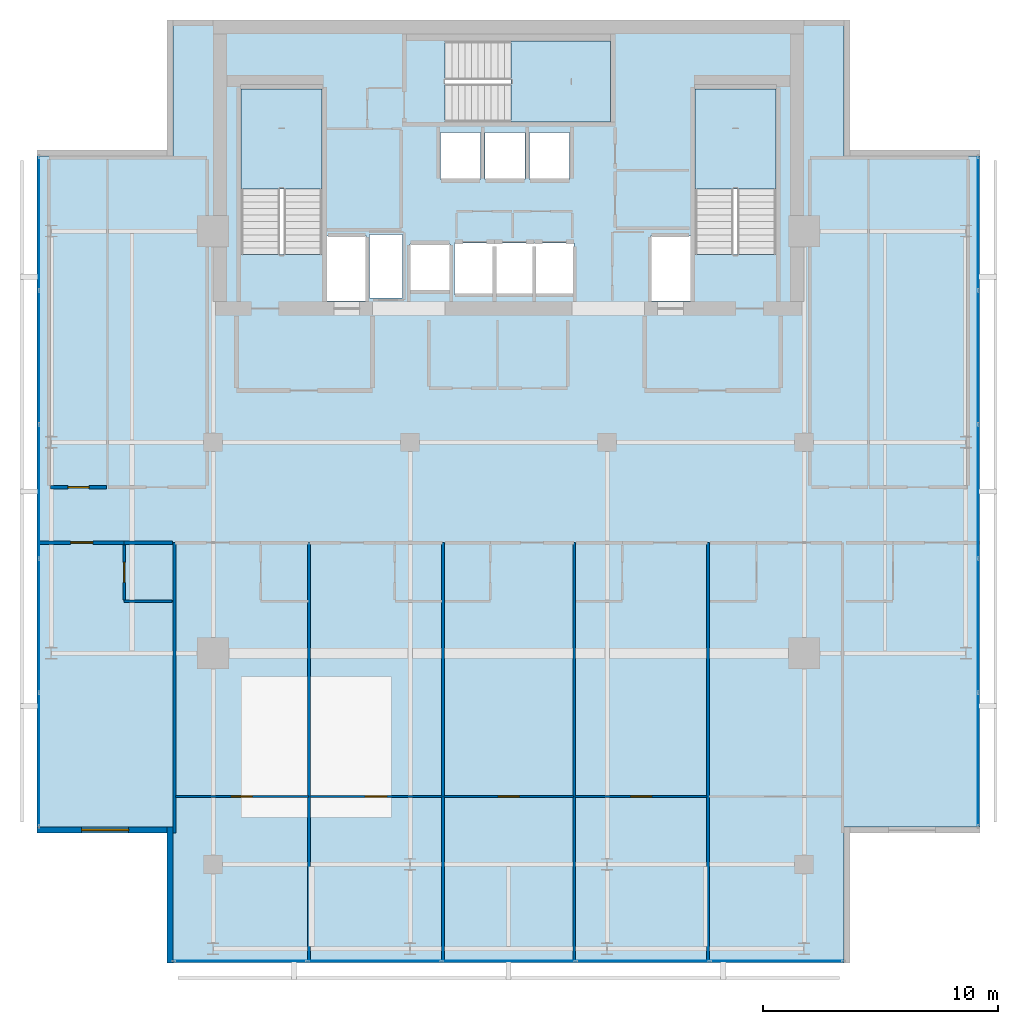
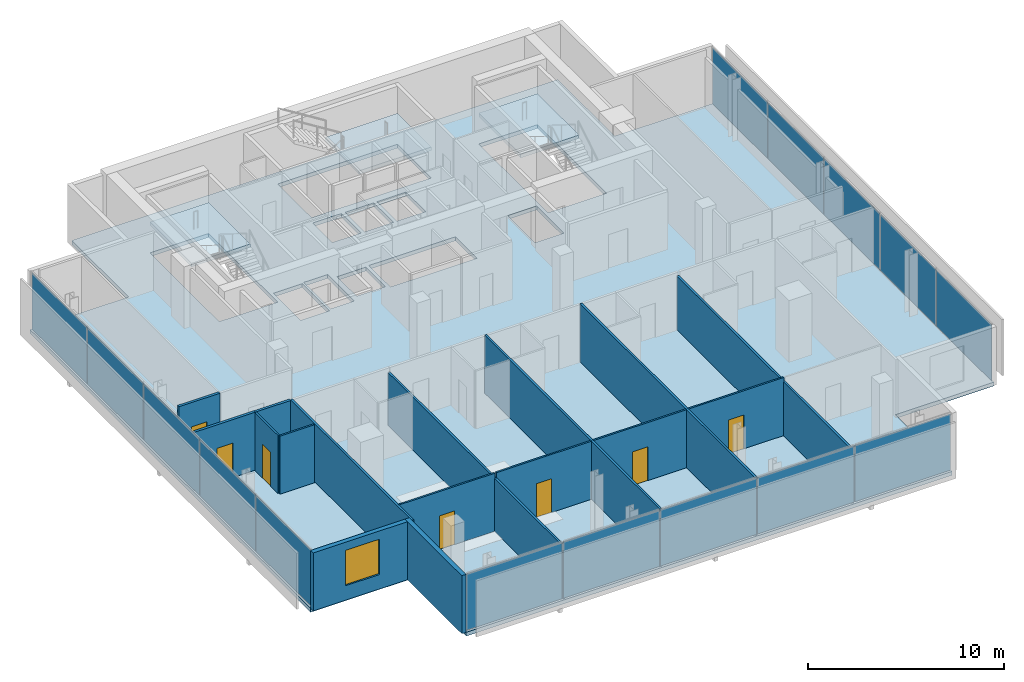
# One storey, part 16 of 24: 16 walls, 15 plates, 7 doors, 4 slabs, 1 window, 8 openings, 6 elements without a shape of their own.
"""IFC4 building model written with IfcOpenShell, lengths in metres."""

from ifc_helpers import new_model, si_unit, direction, frame, frame_2d, origin, origin_2d, place, context, subcontext, project, spatial, polyline, rectangle, outline, extrude, material, layer, layer_set, type_object, element, fill, aggregate, save


model = new_model("IFC4")

# Units and contexts
model_context = context("Model", 3, precision=1e-05, world=origin(), true_north=direction((0.0, 1.0)))
body_context = subcontext(model_context, "Body", "Model", "MODEL_VIEW")
ifc_project = project(units=[si_unit("LENGTHUNIT", "METRE"), si_unit("AREAUNIT", "SQUARE_METRE"), si_unit("VOLUMEUNIT", "CUBIC_METRE"), si_unit("PLANEANGLEUNIT", "RADIAN"), si_unit("MASSUNIT", "GRAM", prefix="KILO")], contexts=[model_context])

# Site, building, storey
site_placement = place(None, origin())
site = spatial("IfcSite", under=ifc_project, at=site_placement, CompositionType="ELEMENT")
building_placement = place(site_placement, origin())
building = spatial("IfcBuilding", under=site, at=building_placement, Name="Maruvema Waterfront Hotel and Observation Tower", CompositionType="ELEMENT")
storey_placement = place(building_placement, frame((0.0, 0.0, 325.85009765625)))
storey = spatial("IfcBuildingStorey", under=building, at=storey_placement, Name="L80", CompositionType="ELEMENT", Elevation=325.85009765625)

# Slab
ifc_material_1 = material(Name="Concrete C50/60", Category="concrete")
ifc_layer_1 = layer(ifc_material_1, 0.239990234375, Name="Reinforced Concrete Floor Slab 240 mm")
ifc_layer_set_1 = layer_set([ifc_layer_1], Name="Concrete C50/60")
slab_type_1 = type_object("IfcSlabType", Name="Reinforced Concrete Floor Slab 240 mm", PredefinedType="FLOOR", material=ifc_layer_set_1)
slab_1_placement = place(storey_placement, frame((0.0, 0.0, -0.239990234375)))
element("IfcSlab", 1, at=slab_1_placement, inside=storey, type_object=slab_type_1, Name="L80 Structural Floor Slab", PredefinedType="FLOOR", context=body_context, shape_type="SweptSolid", body=[
    extrude(outline(polyline([(23.5, 13.800048828125), (52.10009765625, 13.800048828125), (52.10009765625, 19.60009765625), (57.89990234375, 19.60009765625), (57.89990234375, 48.199951171875), (52.10009765625, 48.199951171875), (52.10009765625, 54.0), (23.5, 54.0), (23.5, 48.199951171875), (17.699951171875, 48.199951171875), (17.699951171875, 19.60009765625), (23.5, 19.60009765625), (23.5, 13.800048828125)]), holes=[polyline([(26.39990234375, 44.00048828125), (26.39990234375, 51.050048828125), (29.85009765625, 51.050048828125), (29.85009765625, 44.00048828125), (26.39990234375, 44.00048828125)]), polyline([(30.050048828125, 44.800048828125), (31.75, 44.800048828125), (31.75, 42.02001953125), (30.050048828125, 42.02001953125), (30.050048828125, 44.800048828125)]), polyline([(31.8798828125, 42.139892578125), (31.8798828125, 44.860107421875), (33.280029296875, 44.860107421875), (33.280029296875, 42.139892578125), (31.8798828125, 42.139892578125)]), polyline([(33.60009765625, 44.449951171875), (35.300048828125, 44.449951171875), (35.300048828125, 42.449951171875), (33.60009765625, 42.449951171875), (33.60009765625, 44.449951171875)]), polyline([(34.89990234375, 49.199951171875), (36.60009765625, 49.199951171875), (36.60009765625, 47.199951171875), (34.89990234375, 47.199951171875), (34.89990234375, 49.199951171875)]), polyline([(36.800048828125, 47.199951171875), (36.800048828125, 49.199951171875), (38.5, 49.199951171875), (38.5, 47.199951171875), (36.800048828125, 47.199951171875)]), polyline([(35.5, 42.300048828125), (35.5, 44.5), (40.60009765625, 44.5), (40.60009765625, 42.300048828125), (35.5, 42.300048828125)]), polyline([(35.1005859375, 53.10009765625), (42.14990234375, 53.10009765625), (42.14990234375, 49.64990234375), (35.1005859375, 49.64990234375), (35.1005859375, 53.10009765625)]), polyline([(38.699951171875, 49.199951171875), (40.39990234375, 49.199951171875), (40.39990234375, 47.199951171875), (38.699951171875, 47.199951171875), (38.699951171875, 49.199951171875)]), polyline([(43.85009765625, 44.800048828125), (45.550048828125, 44.800048828125), (45.550048828125, 42.02001953125), (43.85009765625, 42.02001953125), (43.85009765625, 44.800048828125)]), polyline([(45.75, 44.00048828125), (45.75, 51.050048828125), (49.199951171875, 51.050048828125), (49.199951171875, 44.00048828125), (45.75, 44.00048828125)])]), origin(), (0.0, 0.0, 1.0), 0.239990234375),
])

# Curtain wall, plates
ifc_material_2 = material(Name="Anodised bronze aluminium and solar-control low-E IGU", Category="aluminium")
ifc_layer_2 = layer(ifc_material_2, 0.159912109375, Name="Zone 4 Sky Residence Inner Curtain Wall System CW-05")
ifc_layer_set_2 = layer_set([ifc_layer_2], Name="Anodised bronze aluminium and solar-control low-E IGU")
curtain_wall_type = type_object("IfcCurtainWallType", Name="Zone 4 Sky Residence Inner Curtain Wall System CW-05", PredefinedType="USERDEFINED", material=ifc_layer_set_2)
curtain_wall_1_placement = place(storey_placement, origin())
curtain_wall_1 = element("IfcCurtainWall", 2, at=curtain_wall_1_placement, inside=storey, type_object=curtain_wall_type, Name="L80 Curtain Wall CW-L80-S", ObjectType="UNITISED CURTAIN WALL", PredefinedType="USERDEFINED")
ifc_material_3 = material(Name="Laminated low-E solar-control double glazing", Category="glass")
ifc_layer_3 = layer(ifc_material_3, 0.035888671875, Name="Solar Control Double-Glazed Curtain Panel 36 mm")
ifc_layer_set_3 = layer_set([ifc_layer_3], Name="Laminated low-E solar-control double glazing")
plate_type = type_object("IfcPlateType", Name="Solar Control Double-Glazed Curtain Panel 36 mm", PredefinedType="CURTAIN_PANEL", material=ifc_layer_set_3)
plate_1_placement = place(storey_placement, frame((26.375, 13.8798828125, 0.06005859375), z_axis=(0.0, 0.0, 1.0), x_axis=(1.0, 0.0, 0.0)))
plate_1 = element("IfcPlate", 3, at=plate_1_placement, type_object=plate_type, Name="CW-05 panel 1.1", PredefinedType="CURTAIN_PANEL", context=body_context, shape_type="SweptSolid", body=[
    extrude(rectangle(XDim=5.6298828125, YDim=0.028076171875, at=origin_2d()), origin(), (0.0, 0.0, 1.0), 3.489990234375),
])
plate_2_placement = place(storey_placement, frame((32.080078125, 13.8798828125, 0.06005859375), z_axis=(0.0, 0.0, 1.0), x_axis=(1.0, 0.0, 0.0)))
plate_2 = element("IfcPlate", 4, at=plate_2_placement, type_object=plate_type, Name="CW-05 panel 2.1", PredefinedType="CURTAIN_PANEL", context=body_context, shape_type="SweptSolid", body=[
    extrude(rectangle(XDim=5.659912109375, YDim=0.028076171875, at=origin_2d()), origin(), (0.0, 0.0, 1.0), 3.489990234375),
])
plate_3_placement = place(storey_placement, frame((37.800048828125, 13.8798828125, 0.06005859375), z_axis=(0.0, 0.0, 1.0), x_axis=(1.0, 0.0, 0.0)))
plate_3 = element("IfcPlate", 5, at=plate_3_placement, type_object=plate_type, Name="CW-05 panel 3.1", PredefinedType="CURTAIN_PANEL", context=body_context, shape_type="SweptSolid", body=[
    extrude(rectangle(XDim=5.659912109375, YDim=0.028076171875, at=origin_2d()), origin(), (0.0, 0.0, 1.0), 3.489990234375),
])
plate_4_placement = place(storey_placement, frame((43.52001953125, 13.8798828125, 0.06005859375), z_axis=(0.0, 0.0, 1.0), x_axis=(1.0, 0.0, 0.0)))
plate_4 = element("IfcPlate", 6, at=plate_4_placement, type_object=plate_type, Name="CW-05 panel 4.1", PredefinedType="CURTAIN_PANEL", context=body_context, shape_type="SweptSolid", body=[
    extrude(rectangle(XDim=5.659912109375, YDim=0.028076171875, at=origin_2d()), origin(), (0.0, 0.0, 1.0), 3.489990234375),
])
plate_5_placement = place(storey_placement, frame((49.22509765625, 13.8798828125, 0.06005859375), z_axis=(0.0, 0.0, 1.0), x_axis=(1.0, 0.0, 0.0)))
plate_5 = element("IfcPlate", 7, at=plate_5_placement, type_object=plate_type, Name="CW-05 panel 5.1", PredefinedType="CURTAIN_PANEL", context=body_context, shape_type="SweptSolid", body=[
    extrude(rectangle(XDim=5.6298828125, YDim=0.028076171875, at=origin_2d()), origin(), (0.0, 0.0, 1.0), 3.489990234375),
])
aggregate(curtain_wall_1, [plate_1, plate_2, plate_3, plate_4, plate_5])

curtain_wall_2_placement = place(storey_placement, origin())
curtain_wall_2 = element("IfcCurtainWall", 8, at=curtain_wall_2_placement, inside=storey, type_object=curtain_wall_type, Name="L80 Curtain Wall CW-L80-E", ObjectType="UNITISED CURTAIN WALL", PredefinedType="USERDEFINED")
plate_6_placement = place(storey_placement, frame((57.820068359375, 22.47509765625, 0.06005859375), z_axis=(0.0, 0.0, 1.0), x_axis=(0.0, 1.0, 0.0)))
plate_6 = element("IfcPlate", 9, at=plate_6_placement, type_object=plate_type, Name="CW-05 panel 1.1", PredefinedType="CURTAIN_PANEL", context=body_context, shape_type="SweptSolid", body=[
    extrude(rectangle(XDim=5.6298828125, YDim=0.028076171875, at=origin_2d()), origin(), (0.0, 0.0, 1.0), 3.489990234375),
])
plate_7_placement = place(storey_placement, frame((57.820068359375, 28.179931640625, 0.06005859375), z_axis=(0.0, 0.0, 1.0), x_axis=(0.0, 1.0, 0.0)))
plate_7 = element("IfcPlate", 10, at=plate_7_placement, type_object=plate_type, Name="CW-05 panel 2.1", PredefinedType="CURTAIN_PANEL", context=body_context, shape_type="SweptSolid", body=[
    extrude(rectangle(XDim=5.659912109375, YDim=0.028076171875, at=origin_2d()), origin(), (0.0, 0.0, 1.0), 3.489990234375),
])
plate_8_placement = place(storey_placement, frame((57.820068359375, 33.89990234375, 0.06005859375), z_axis=(0.0, 0.0, 1.0), x_axis=(0.0, 1.0, 0.0)))
plate_8 = element("IfcPlate", 11, at=plate_8_placement, type_object=plate_type, Name="CW-05 panel 3.1", PredefinedType="CURTAIN_PANEL", context=body_context, shape_type="SweptSolid", body=[
    extrude(rectangle(XDim=5.659912109375, YDim=0.028076171875, at=origin_2d()), origin(), (0.0, 0.0, 1.0), 3.489990234375),
])
plate_9_placement = place(storey_placement, frame((57.820068359375, 39.6201171875, 0.06005859375), z_axis=(0.0, 0.0, 1.0), x_axis=(0.0, 1.0, 0.0)))
plate_9 = element("IfcPlate", 12, at=plate_9_placement, type_object=plate_type, Name="CW-05 panel 4.1", PredefinedType="CURTAIN_PANEL", context=body_context, shape_type="SweptSolid", body=[
    extrude(rectangle(XDim=5.659912109375, YDim=0.028076171875, at=origin_2d()), origin(), (0.0, 0.0, 1.0), 3.489990234375),
])
plate_10_placement = place(storey_placement, frame((57.820068359375, 45.324951171875, 0.06005859375), z_axis=(0.0, 0.0, 1.0), x_axis=(0.0, 1.0, 0.0)))
plate_10 = element("IfcPlate", 13, at=plate_10_placement, type_object=plate_type, Name="CW-05 panel 5.1", PredefinedType="CURTAIN_PANEL", context=body_context, shape_type="SweptSolid", body=[
    extrude(rectangle(XDim=5.6298828125, YDim=0.028076171875, at=origin_2d()), origin(), (0.0, 0.0, 1.0), 3.489990234375),
])
aggregate(curtain_wall_2, [plate_6, plate_7, plate_8, plate_9, plate_10])

curtain_wall_3_placement = place(storey_placement, origin())
curtain_wall_3 = element("IfcCurtainWall", 14, at=curtain_wall_3_placement, inside=storey, type_object=curtain_wall_type, Name="L80 Curtain Wall CW-L80-W", ObjectType="UNITISED CURTAIN WALL", PredefinedType="USERDEFINED")
plate_11_placement = place(storey_placement, frame((17.780029296875, 45.324951171875, 0.06005859375), z_axis=(0.0, 0.0, 1.0), x_axis=(0.0, -1.0, 0.0)))
plate_11 = element("IfcPlate", 15, at=plate_11_placement, type_object=plate_type, Name="CW-05 panel 1.1", PredefinedType="CURTAIN_PANEL", context=body_context, shape_type="SweptSolid", body=[
    extrude(rectangle(XDim=5.6298828125, YDim=0.028076171875, at=origin_2d()), origin(), (0.0, 0.0, 1.0), 3.489990234375),
])
plate_12_placement = place(storey_placement, frame((17.780029296875, 39.6201171875, 0.06005859375), z_axis=(0.0, 0.0, 1.0), x_axis=(0.0, -1.0, 0.0)))
plate_12 = element("IfcPlate", 16, at=plate_12_placement, type_object=plate_type, Name="CW-05 panel 2.1", PredefinedType="CURTAIN_PANEL", context=body_context, shape_type="SweptSolid", body=[
    extrude(rectangle(XDim=5.659912109375, YDim=0.028076171875, at=origin_2d()), origin(), (0.0, 0.0, 1.0), 3.489990234375),
])
plate_13_placement = place(storey_placement, frame((17.780029296875, 33.89990234375, 0.06005859375), z_axis=(0.0, 0.0, 1.0), x_axis=(0.0, -1.0, 0.0)))
plate_13 = element("IfcPlate", 17, at=plate_13_placement, type_object=plate_type, Name="CW-05 panel 3.1", PredefinedType="CURTAIN_PANEL", context=body_context, shape_type="SweptSolid", body=[
    extrude(rectangle(XDim=5.659912109375, YDim=0.028076171875, at=origin_2d()), origin(), (0.0, 0.0, 1.0), 3.489990234375),
])
plate_14_placement = place(storey_placement, frame((17.780029296875, 28.179931640625, 0.06005859375), z_axis=(0.0, 0.0, 1.0), x_axis=(0.0, -1.0, 0.0)))
plate_14 = element("IfcPlate", 18, at=plate_14_placement, type_object=plate_type, Name="CW-05 panel 4.1", PredefinedType="CURTAIN_PANEL", context=body_context, shape_type="SweptSolid", body=[
    extrude(rectangle(XDim=5.659912109375, YDim=0.028076171875, at=origin_2d()), origin(), (0.0, 0.0, 1.0), 3.489990234375),
])
plate_15_placement = place(storey_placement, frame((17.780029296875, 22.47509765625, 0.06005859375), z_axis=(0.0, 0.0, 1.0), x_axis=(0.0, -1.0, 0.0)))
plate_15 = element("IfcPlate", 19, at=plate_15_placement, type_object=plate_type, Name="CW-05 panel 5.1", PredefinedType="CURTAIN_PANEL", context=body_context, shape_type="SweptSolid", body=[
    extrude(rectangle(XDim=5.6298828125, YDim=0.028076171875, at=origin_2d()), origin(), (0.0, 0.0, 1.0), 3.489990234375),
])
aggregate(curtain_wall_3, [plate_11, plate_12, plate_13, plate_14, plate_15])

# Stair, slab
ifc_material_4 = material(Name="Concrete C50/60", Category="concrete")
stair_type = type_object("IfcStairType", Name="Dogleg Exit Stair 1650 mm (22R x 175.0 mm)", PredefinedType="HALF_TURN_STAIR", material=ifc_material_4)
stair_1_placement = place(storey_placement, origin())
stair_1 = element("IfcStair", 20, at=stair_1_placement, inside=storey, type_object=stair_type, Name="L80 ST-01", PredefinedType="HALF_TURN_STAIR")
ifc_material_5 = material(Name="Concrete C50/60", Category="concrete")
ifc_layer_4 = layer(ifc_material_5, 0.219970703125, Name="Stair Concrete Landing Slab 220 mm")
ifc_layer_set_4 = layer_set([ifc_layer_4], Name="Concrete C50/60")
slab_type_2 = type_object("IfcSlabType", Name="Stair Concrete Landing Slab 220 mm", PredefinedType="LANDING", material=ifc_layer_set_4)
slab_2_placement = place(storey_placement, frame((0.0, 0.0, 1.704833984375)))
slab_2 = element("IfcSlab", 21, at=slab_2_placement, type_object=slab_type_2, Name="ST-01 landing 1", PredefinedType="LANDING", context=body_context, shape_type="SweptSolid", body=[
    extrude(outline(polyline([(29.85009765625, 46.800048828125), (29.85009765625, 51.050048828125), (26.39990234375, 51.050048828125), (26.39990234375, 46.800048828125), (29.85009765625, 46.800048828125)])), origin(), (0.0, 0.0, 1.0), 0.219970703125),
])
aggregate(stair_1, [slab_2])

stair_2_placement = place(storey_placement, origin())
stair_2 = element("IfcStair", 22, at=stair_2_placement, inside=storey, type_object=stair_type, Name="L80 ST-02", PredefinedType="HALF_TURN_STAIR")
slab_3_placement = place(storey_placement, frame((0.0, 0.0, 1.704833984375)))
slab_3 = element("IfcSlab", 23, at=slab_3_placement, type_object=slab_type_2, Name="ST-02 landing 1", PredefinedType="LANDING", context=body_context, shape_type="SweptSolid", body=[
    extrude(outline(polyline([(37.89990234375, 49.64990234375), (42.14990234375, 49.64990234375), (42.14990234375, 53.10009765625), (37.89990234375, 53.10009765625), (37.89990234375, 49.64990234375)])), origin(), (0.0, 0.0, 1.0), 0.219970703125),
])
aggregate(stair_2, [slab_3])

stair_3_placement = place(storey_placement, origin())
stair_3 = element("IfcStair", 24, at=stair_3_placement, inside=storey, type_object=stair_type, Name="L80 ST-03", PredefinedType="HALF_TURN_STAIR")
slab_4_placement = place(storey_placement, frame((0.0, 0.0, 1.704833984375)))
slab_4 = element("IfcSlab", 25, at=slab_4_placement, type_object=slab_type_2, Name="ST-03 landing 1", PredefinedType="LANDING", context=body_context, shape_type="SweptSolid", body=[
    extrude(outline(polyline([(49.199951171875, 46.800048828125), (49.199951171875, 51.050048828125), (45.75, 51.050048828125), (45.75, 46.800048828125), (49.199951171875, 46.800048828125)])), origin(), (0.0, 0.0, 1.0), 0.219970703125),
])
aggregate(stair_3, [slab_4])

# Wall, opening, door
ifc_material_6 = material(Name="Twin-stud acoustic gypsum drywall", Category="gypsum")
ifc_layer_5 = layer(ifc_material_6, 0.14990234375, Name="Acoustic Corridor and Suite Demising Wall 150 mm")
ifc_layer_set_5 = layer_set([ifc_layer_5], Name="Twin-stud acoustic gypsum drywall")
wall_type_1 = type_object("IfcWallType", Name="Acoustic Corridor and Suite Demising Wall 150 mm", PredefinedType="PARTITIONING", material=ifc_layer_set_5)
wall_1_placement = place(storey_placement, frame((18.260009765625, 34.080078125, 0.0), z_axis=(0.0, 0.0, 1.0), x_axis=(1.0, 0.0, 0.0)))
wall_1 = element("IfcWall", 26, at=wall_1_placement, inside=storey, type_object=wall_type_1, Name="L80 L80-Z4W Front 1 034", PredefinedType="PARTITIONING", context=body_context, shape_type="SweptSolid", body=[
    extrude(rectangle(XDim=2.407470703125, YDim=0.14990234375, at=frame_2d((1.20361328125, 0.0))), origin(), (0.0, 0.0, 1.0), 3.60986328125),
])
opening_1_placement = place(wall_1_placement, frame((0.753662109375, 0.0, 0.0)))
opening_1 = element("IfcOpeningElement", 27, at=opening_1_placement, cuts=wall_1, Name="Opening DR-090", PredefinedType="OPENING", context=body_context, shape_type="SweptSolid", body=[
    extrude(rectangle(XDim=0.89990234375, YDim=2.10009765625, at=frame_2d((0.449951171875, 1.050048828125))), frame((0.0, 0.0849609375, 0.0), z_axis=(0.0, -1.0, 0.0), x_axis=(1.0, 0.0, 0.0)), (0.0, 0.0, 1.0), 0.169921875),
])
ifc_material_7 = material(Name="Solid-core lacquered timber leaf", Category="wood")
door_type_1 = type_object("IfcDoorType", Name="Accessible Toilet and Room Door 900x2100 mm", OperationType="NOTDEFINED", PredefinedType="DOOR", material=ifc_material_7)
door_1_placement = place(opening_1_placement, frame((0.89990234375, 0.0, 0.0), z_axis=(0.0, 0.0, 1.0), x_axis=(-1.0, 0.0, 0.0)))
door_1 = element("IfcDoor", 28, at=door_1_placement, inside=storey, type_object=door_type_1, Name="L80 Butler Kitchenette Door", OperationType="SINGLE_SWING_LEFT", OverallHeight=2.10009765625, OverallWidth=0.89990234375, PredefinedType="DOOR", context=body_context, shape_type="SweptSolid", body=[
    extrude(rectangle(XDim=0.89990234375, YDim=2.10009765625, at=frame_2d((0.449951171875, 1.050048828125))), frame((0.0, 0.02490234375, 0.0), z_axis=(0.0, -1.0, 0.0), x_axis=(1.0, 0.0, 0.0)), (0.0, 0.0, 1.0), 0.050048828125),
])
fill(opening_1, door_1)

# Wall
wall_2_placement = place(storey_placement, frame((21.409912109375, 31.719970703125, 0.0), z_axis=(0.0, 0.0, 1.0), x_axis=(1.0, 0.0, 0.0)))
element("IfcWall", 29, at=wall_2_placement, inside=storey, type_object=wall_type_1, Name="L80 Bath L80-SKW Back Wall 074", PredefinedType="PARTITIONING", context=body_context, shape_type="SweptSolid", body=[
    extrude(rectangle(XDim=2.06005859375, YDim=0.14990234375, at=frame_2d((1.030029296875, 0.0))), origin(), (0.0, 0.0, 1.0), 3.60986328125),
])

# Wall, opening, door
wall_3_placement = place(storey_placement, frame((17.7900390625, 31.719970703125, 0.0), z_axis=(0.0, 0.0, 1.0), x_axis=(1.0, 0.0, 0.0)))
wall_3 = element("IfcWall", 30, at=wall_3_placement, inside=storey, type_object=wall_type_1, Name="L80 Unit L80-SKW Corridor Wall 077", PredefinedType="PARTITIONING", context=body_context, shape_type="SweptSolid", body=[
    extrude(rectangle(XDim=3.619873046875, YDim=0.14990234375, at=frame_2d((1.81005859375, 0.0))), origin(), (0.0, 0.0, 1.0), 3.60986328125),
])
opening_2_placement = place(wall_3_placement, frame((1.3349609375, 0.0, 0.0)))
opening_2 = element("IfcOpeningElement", 31, at=opening_2_placement, cuts=wall_3, Name="Opening DR-095", PredefinedType="OPENING", context=body_context, shape_type="SweptSolid", body=[
    extrude(rectangle(XDim=0.949951171875, YDim=2.14990234375, at=frame_2d((0.47509765625, 1.074951171875))), frame((0.0, 0.0849609375, 0.0), z_axis=(0.0, -1.0, 0.0), x_axis=(1.0, 0.0, 0.0)), (0.0, 0.0, 1.0), 0.169921875),
])
ifc_material_8 = material(Name="Acoustic solid-core hardwood timber leaf", Category="wood")
door_type_2 = type_object("IfcDoorType", Name="Guestroom Entrance Fire Door 950x2150 mm", OperationType="NOTDEFINED", PredefinedType="DOOR", material=ifc_material_8)
door_2_placement = place(opening_2_placement, frame((0.949951171875, 0.0, 0.0), z_axis=(0.0, 0.0, 1.0), x_axis=(-1.0, 0.0, 0.0)))
door_2 = element("IfcDoor", 32, at=door_2_placement, inside=storey, type_object=door_type_2, Name="L80 Unit L80-SKW Entrance Door", OperationType="SINGLE_SWING_LEFT", OverallHeight=2.14990234375, OverallWidth=0.949951171875, PredefinedType="DOOR", context=body_context, shape_type="SweptSolid", body=[
    extrude(rectangle(XDim=0.949951171875, YDim=2.14990234375, at=frame_2d((0.47509765625, 1.074951171875))), frame((0.0, 0.02490234375, 0.0), z_axis=(0.0, -1.0, 0.0), x_axis=(1.0, 0.0, 0.0)), (0.0, 0.0, 1.0), 0.050048828125),
])
fill(opening_2, door_2)

ifc_material_9 = material(Name="Moisture-resistant cement-board drywall", Category="gypsum")
ifc_layer_6 = layer(ifc_material_9, 0.10009765625, Name="En-Suite Moisture-Resistant Partition 100 mm")
ifc_layer_set_6 = layer_set([ifc_layer_6], Name="Moisture-resistant cement-board drywall")
wall_type_2 = type_object("IfcWallType", Name="En-Suite Moisture-Resistant Partition 100 mm", PredefinedType="PARTITIONING", material=ifc_layer_set_6)
wall_4_placement = place(storey_placement, frame((23.6025390625, 20.893310546875, 0.0), z_axis=(0.0, 0.0, 1.0), x_axis=(1.0, 0.0, 0.0)))
wall_4 = element("IfcWall", 33, at=wall_4_placement, inside=storey, type_object=wall_type_2, Name="L80 Suite L80-SK1 Split 049", PredefinedType="PARTITIONING", context=body_context, shape_type="SweptSolid", body=[
    extrude(rectangle(XDim=5.657470703125, YDim=0.10009765625, at=frame_2d((2.82861328125, 0.0))), origin(), (0.0, 0.0, 1.0), 3.60986328125),
])
opening_3_placement = place(wall_4_placement, frame((2.37890625, 0.0, 0.0)))
opening_3 = element("IfcOpeningElement", 34, at=opening_3_placement, cuts=wall_4, Name="Opening DR-090", PredefinedType="OPENING", context=body_context, shape_type="SweptSolid", body=[
    extrude(rectangle(XDim=0.89990234375, YDim=2.10009765625, at=frame_2d((0.449951171875, 1.050048828125))), frame((0.0, 0.06005859375, 0.0), z_axis=(0.0, -1.0, 0.0), x_axis=(1.0, 0.0, 0.0)), (0.0, 0.0, 1.0), 0.1201171875),
])
door_3_placement = place(opening_3_placement, frame((0.89990234375, 0.0, 0.0), z_axis=(0.0, 0.0, 1.0), x_axis=(-1.0, 0.0, 0.0)))
door_3 = element("IfcDoor", 35, at=door_3_placement, inside=storey, type_object=door_type_1, Name="L80 Suite L80-SK1 Bedroom Door", OperationType="SINGLE_SWING_LEFT", OverallHeight=2.10009765625, OverallWidth=0.89990234375, PredefinedType="DOOR", context=body_context, shape_type="SweptSolid", body=[
    extrude(rectangle(XDim=0.89990234375, YDim=2.10009765625, at=frame_2d((0.449951171875, 1.050048828125))), frame((0.0, 0.02490234375, 0.0), z_axis=(0.0, -1.0, 0.0), x_axis=(1.0, 0.0, 0.0)), (0.0, 0.0, 1.0), 0.050048828125),
])
fill(opening_3, door_3)

wall_5_placement = place(storey_placement, frame((29.340087890625, 20.893310546875, 0.0), z_axis=(0.0, 0.0, 1.0), x_axis=(1.0, 0.0, 0.0)))
wall_5 = element("IfcWall", 36, at=wall_5_placement, inside=storey, type_object=wall_type_2, Name="L80 Suite L80-SK2 Split 055", PredefinedType="PARTITIONING", context=body_context, shape_type="SweptSolid", body=[
    extrude(rectangle(XDim=5.619873046875, YDim=0.10009765625, at=frame_2d((2.81005859375, 0.0))), origin(), (0.0, 0.0, 1.0), 3.60986328125),
])
opening_4_placement = place(wall_5_placement, frame((2.360107421875, 0.0, 0.0)))
opening_4 = element("IfcOpeningElement", 37, at=opening_4_placement, cuts=wall_5, Name="Opening DR-090", PredefinedType="OPENING", context=body_context, shape_type="SweptSolid", body=[
    extrude(rectangle(XDim=0.89990234375, YDim=2.10009765625, at=frame_2d((0.449951171875, 1.050048828125))), frame((0.0, 0.06005859375, 0.0), z_axis=(0.0, -1.0, 0.0), x_axis=(1.0, 0.0, 0.0)), (0.0, 0.0, 1.0), 0.1201171875),
])
door_4_placement = place(opening_4_placement, frame((0.89990234375, 0.0, 0.0), z_axis=(0.0, 0.0, 1.0), x_axis=(-1.0, 0.0, 0.0)))
door_4 = element("IfcDoor", 38, at=door_4_placement, inside=storey, type_object=door_type_1, Name="L80 Suite L80-SK2 Bedroom Door", OperationType="SINGLE_SWING_RIGHT", OverallHeight=2.10009765625, OverallWidth=0.89990234375, PredefinedType="DOOR", context=body_context, shape_type="SweptSolid", body=[
    extrude(rectangle(XDim=0.89990234375, YDim=2.10009765625, at=frame_2d((0.449951171875, 1.050048828125))), frame((0.0, 0.02490234375, 0.0), z_axis=(0.0, -1.0, 0.0), x_axis=(1.0, 0.0, 0.0)), (0.0, 0.0, 1.0), 0.050048828125),
])
fill(opening_4, door_4)

wall_6_placement = place(storey_placement, frame((35.0400390625, 20.893310546875, 0.0), z_axis=(0.0, 0.0, 1.0), x_axis=(1.0, 0.0, 0.0)))
wall_6 = element("IfcWall", 39, at=wall_6_placement, inside=storey, type_object=wall_type_2, Name="L80 Suite L80-SK3 Split 061", PredefinedType="PARTITIONING", context=body_context, shape_type="SweptSolid", body=[
    extrude(rectangle(XDim=5.52001953125, YDim=0.10009765625, at=frame_2d((2.760009765625, 0.0))), origin(), (0.0, 0.0, 1.0), 3.60986328125),
])
opening_5_placement = place(wall_6_placement, frame((2.31005859375, 0.0, 0.0)))
opening_5 = element("IfcOpeningElement", 40, at=opening_5_placement, cuts=wall_6, Name="Opening DR-090", PredefinedType="OPENING", context=body_context, shape_type="SweptSolid", body=[
    extrude(rectangle(XDim=0.89990234375, YDim=2.10009765625, at=frame_2d((0.449951171875, 1.050048828125))), frame((0.0, 0.06005859375, 0.0), z_axis=(0.0, -1.0, 0.0), x_axis=(1.0, 0.0, 0.0)), (0.0, 0.0, 1.0), 0.1201171875),
])
door_5_placement = place(opening_5_placement, frame((0.89990234375, 0.0, 0.0), z_axis=(0.0, 0.0, 1.0), x_axis=(-1.0, 0.0, 0.0)))
door_5 = element("IfcDoor", 41, at=door_5_placement, inside=storey, type_object=door_type_1, Name="L80 Suite L80-SK3 Bedroom Door", OperationType="SINGLE_SWING_LEFT", OverallHeight=2.10009765625, OverallWidth=0.89990234375, PredefinedType="DOOR", context=body_context, shape_type="SweptSolid", body=[
    extrude(rectangle(XDim=0.89990234375, YDim=2.10009765625, at=frame_2d((0.449951171875, 1.050048828125))), frame((0.0, 0.02490234375, 0.0), z_axis=(0.0, -1.0, 0.0), x_axis=(1.0, 0.0, 0.0)), (0.0, 0.0, 1.0), 0.050048828125),
])
fill(opening_5, door_5)

wall_7_placement = place(storey_placement, frame((40.639892578125, 20.893310546875, 0.0), z_axis=(0.0, 0.0, 1.0), x_axis=(1.0, 0.0, 0.0)))
wall_7 = element("IfcWall", 42, at=wall_7_placement, inside=storey, type_object=wall_type_2, Name="L80 Suite L80-SK4 Split 067", PredefinedType="PARTITIONING", context=body_context, shape_type="SweptSolid", body=[
    extrude(rectangle(XDim=5.6201171875, YDim=0.10009765625, at=frame_2d((2.81005859375, 0.0))), origin(), (0.0, 0.0, 1.0), 3.60986328125),
])
opening_6_placement = place(wall_7_placement, frame((2.360107421875, 0.0, 0.0)))
opening_6 = element("IfcOpeningElement", 43, at=opening_6_placement, cuts=wall_7, Name="Opening DR-090", PredefinedType="OPENING", context=body_context, shape_type="SweptSolid", body=[
    extrude(rectangle(XDim=0.89990234375, YDim=2.10009765625, at=frame_2d((0.449951171875, 1.050048828125))), frame((0.0, 0.06005859375, 0.0), z_axis=(0.0, -1.0, 0.0), x_axis=(1.0, 0.0, 0.0)), (0.0, 0.0, 1.0), 0.1201171875),
])
door_6_placement = place(opening_6_placement, frame((0.89990234375, 0.0, 0.0), z_axis=(0.0, 0.0, 1.0), x_axis=(-1.0, 0.0, 0.0)))
door_6 = element("IfcDoor", 44, at=door_6_placement, inside=storey, type_object=door_type_1, Name="L80 Suite L80-SK4 Bedroom Door", OperationType="SINGLE_SWING_RIGHT", OverallHeight=2.10009765625, OverallWidth=0.89990234375, PredefinedType="DOOR", context=body_context, shape_type="SweptSolid", body=[
    extrude(rectangle(XDim=0.89990234375, YDim=2.10009765625, at=frame_2d((0.449951171875, 1.050048828125))), frame((0.0, 0.02490234375, 0.0), z_axis=(0.0, -1.0, 0.0), x_axis=(1.0, 0.0, 0.0)), (0.0, 0.0, 1.0), 0.050048828125),
])
fill(opening_6, door_6)

# Wall
wall_8_placement = place(storey_placement, frame((21.409912109375, 29.219970703125, 0.0), z_axis=(0.0, 0.0, 1.0), x_axis=(1.0, 0.0, 0.0)))
element("IfcWall", 45, at=wall_8_placement, inside=storey, type_object=wall_type_2, Name="L80 En-Suite L80-SKW South 075", PredefinedType="PARTITIONING", context=body_context, shape_type="SweptSolid", body=[
    extrude(rectangle(XDim=2.0400390625, YDim=0.10009765625, at=frame_2d((1.02001953125, 0.0))), origin(), (0.0, 0.0, 1.0), 3.60986328125),
])

# Wall, opening, door
wall_9_placement = place(storey_placement, frame((21.409912109375, 29.280029296875, 0.0), z_axis=(0.0, 0.0, 1.0), x_axis=(0.0, 1.0, 0.0)))
wall_9 = element("IfcWall", 46, at=wall_9_placement, inside=storey, type_object=wall_type_2, Name="L80 En-Suite L80-SKW West 076", PredefinedType="PARTITIONING", context=body_context, shape_type="SweptSolid", body=[
    extrude(rectangle(XDim=2.340087890625, YDim=0.10009765625, at=frame_2d((1.169921875, 0.0))), origin(), (0.0, 0.0, 1.0), 3.60986328125),
])
opening_7_placement = place(wall_9_placement, frame((0.7451171875, 0.0, 0.0)))
opening_7 = element("IfcOpeningElement", 47, at=opening_7_placement, cuts=wall_9, Name="Opening DR-085", PredefinedType="OPENING", context=body_context, shape_type="SweptSolid", body=[
    extrude(rectangle(XDim=0.85009765625, YDim=2.10009765625, at=frame_2d((0.425048828125, 1.050048828125))), frame((0.0, 0.06005859375, 0.0), z_axis=(0.0, -1.0, 0.0), x_axis=(1.0, 0.0, 0.0)), (0.0, 0.0, 1.0), 0.1201171875),
])
ifc_material_10 = material(Name="Moisture-resistant solid timber leaf", Category="wood")
door_type_3 = type_object("IfcDoorType", Name="En-Suite Bathroom Door 850x2100 mm", OperationType="NOTDEFINED", PredefinedType="DOOR", material=ifc_material_10)
door_7_placement = place(opening_7_placement, origin())
door_7 = element("IfcDoor", 48, at=door_7_placement, inside=storey, type_object=door_type_3, Name="L80 En-Suite L80-SKW Door", OperationType="SINGLE_SWING_RIGHT", OverallHeight=2.10009765625, OverallWidth=0.85009765625, PredefinedType="DOOR", context=body_context, shape_type="SweptSolid", body=[
    extrude(rectangle(XDim=0.85009765625, YDim=2.10009765625, at=frame_2d((0.425048828125, 1.050048828125))), frame((0.0, 0.02490234375, 0.0), z_axis=(0.0, -1.0, 0.0), x_axis=(1.0, 0.0, 0.0)), (0.0, 0.0, 1.0), 0.050048828125),
])
fill(opening_7, door_7)

# Wall
ifc_material_11 = material(Name="Precast concrete C45/55 with honed Pernambuco granite facing", Category="masonry")
ifc_layer_7 = layer(ifc_material_11, 0.260009765625, Name="Exterior Granite Clad Spandrel and Pier Wall 260 mm")
ifc_layer_set_7 = layer_set([ifc_layer_7], Name="Precast concrete C45/55 with honed Pernambuco granite facing")
wall_type_3 = type_object("IfcWallType", Name="Exterior Granite Clad Spandrel and Pier Wall 260 mm", PredefinedType="SOLIDWALL", material=ifc_layer_set_7)
wall_10_placement = place(storey_placement, frame((23.3701171875, 13.800048828125, 0.0), z_axis=(0.0, 0.0, 1.0), x_axis=(0.0, 1.0, 0.0)))
element("IfcWall", 49, at=wall_10_placement, inside=storey, type_object=wall_type_3, Name="L80 Corner Notch Granite Pier Wall SW1", PredefinedType="SOLIDWALL", context=body_context, shape_type="SweptSolid", body=[
    extrude(rectangle(XDim=5.800048828125, YDim=0.260009765625, at=frame_2d((2.89990234375, 0.0))), origin(), (0.0, 0.0, 1.0), 3.60986328125),
])

# Wall, opening, window
wall_11_placement = place(storey_placement, frame((23.5, 19.469970703125, 0.0), z_axis=(0.0, 0.0, 1.0), x_axis=(-1.0, 0.0, 0.0)))
wall_11 = element("IfcWall", 50, at=wall_11_placement, inside=storey, type_object=wall_type_3, Name="L80 Corner Notch Granite Pier Wall SW2", PredefinedType="SOLIDWALL", context=body_context, shape_type="SweptSolid", body=[
    extrude(rectangle(XDim=5.800048828125, YDim=0.260009765625, at=frame_2d((2.89990234375, 0.0))), origin(), (0.0, 0.0, 1.0), 3.60986328125),
])
opening_8_placement = place(wall_11_placement, frame((1.89990234375, 0.0, 0.89990234375)))
opening_8 = element("IfcOpeningElement", 51, at=opening_8_placement, cuts=wall_11, Name="Opening WN-03", PredefinedType="OPENING", context=body_context, shape_type="SweptSolid", body=[
    extrude(rectangle(XDim=2.0, YDim=2.199951171875, at=frame_2d((1.0, 1.10009765625))), frame((0.0, 0.14013671875, 0.0), z_axis=(0.0, -1.0, 0.0), x_axis=(1.0, 0.0, 0.0)), (0.0, 0.0, 1.0), 0.280029296875),
])
ifc_material_12 = material(Name="Anodised bronze aluminium frame with laminated low-E glass", Category="aluminium")
window_type = type_object("IfcWindowType", Name="Sky Suite Panoramic Notch Window 2000x2200 mm", PartitioningType="SINGLE_PANEL", PredefinedType="WINDOW", material=ifc_material_12)
window_placement = place(opening_8_placement, origin())
window = element("IfcWindow", 52, at=window_placement, inside=storey, type_object=window_type, Name="L80 Corner Notch Punched Window SW2", OverallHeight=2.199951171875, OverallWidth=2.0, PartitioningType="SINGLE_PANEL", PredefinedType="WINDOW", context=body_context, shape_type="SweptSolid", body=[
    extrude(rectangle(XDim=2.0, YDim=2.199951171875, at=frame_2d((1.0, 1.10009765625))), frame((0.0, 0.030029296875, 0.0), z_axis=(0.0, -1.0, 0.0), x_axis=(1.0, 0.0, 0.0)), (0.0, 0.0, 1.0), 0.06005859375),
])
fill(opening_8, window)

# Walls
ifc_material_13 = material(Name="Acoustic gypsum plasterboard drywall", Category="gypsum")
ifc_layer_8 = layer(ifc_material_13, 0.125, Name="Guestroom Acoustic Demising Wall 125 mm")
ifc_layer_set_8 = layer_set([ifc_layer_8], Name="Acoustic gypsum plasterboard drywall")
wall_type_4 = type_object("IfcWallType", Name="Guestroom Acoustic Demising Wall 125 mm", PredefinedType="PARTITIONING", material=ifc_layer_set_8)
wall_12_placement = place(storey_placement, frame((23.5625, 19.340087890625, 0.0), z_axis=(0.0, 0.0, 1.0), x_axis=(0.0, 1.0, 0.0)))
element("IfcWall", 53, at=wall_12_placement, inside=storey, type_object=wall_type_4, Name="L80 Z4 S West End 043", PredefinedType="PARTITIONING", context=body_context, shape_type="SweptSolid", body=[
    extrude(rectangle(XDim=12.3798828125, YDim=0.125, at=frame_2d((6.18994140625, 0.0))), origin(), (0.0, 0.0, 1.0), 3.60986328125),
])
wall_13_placement = place(storey_placement, frame((29.300048828125, 13.89990234375, 0.0), z_axis=(0.0, 0.0, 1.0), x_axis=(0.0, 1.0, 0.0)))
element("IfcWall", 54, at=wall_13_placement, inside=storey, type_object=wall_type_4, Name="L80 Z4 S Demising 2 050", PredefinedType="PARTITIONING", context=body_context, shape_type="SweptSolid", body=[
    extrude(rectangle(XDim=17.820068359375, YDim=0.125, at=frame_2d((8.91015625, 0.0))), origin(), (0.0, 0.0, 1.0), 3.29296875),
])
for number, where, z_axis, x_axis, name in (
    (55, (35.0, 13.89990234375, 0.0), (0.0, 0.0, 1.0), (0.0, 1.0, 0.0), "L80 Z4 S Demising 3 056"),
    (56, (40.60009765625, 13.89990234375, 0.0), (0.0, 0.0, 1.0), (0.0, 1.0, 0.0), "L80 Z4 S Demising 4 062"),
):
    element("IfcWall", number, at=place(storey_placement, frame(where, z_axis=z_axis, x_axis=x_axis)), inside=storey, type_object=wall_type_4, Name=name, PredefinedType="PARTITIONING", context=body_context, shape_type="SweptSolid", body=[
        extrude(rectangle(XDim=17.820068359375, YDim=0.125, at=frame_2d((8.91015625, 0.0))), origin(), (0.0, 0.0, 1.0), 3.60986328125),
    ])
wall_14_placement = place(storey_placement, frame((46.300048828125, 13.89990234375, 0.0), z_axis=(0.0, 0.0, 1.0), x_axis=(0.0, 1.0, 0.0)))
element("IfcWall", 57, at=wall_14_placement, inside=storey, type_object=wall_type_4, Name="L80 Z4 S Demising 5 068", PredefinedType="PARTITIONING", context=body_context, shape_type="SweptSolid", body=[
    extrude(rectangle(XDim=17.820068359375, YDim=0.125, at=frame_2d((8.91015625, 0.0))), origin(), (0.0, 0.0, 1.0), 3.343994140625),
])

save(model, "model.ifc")
